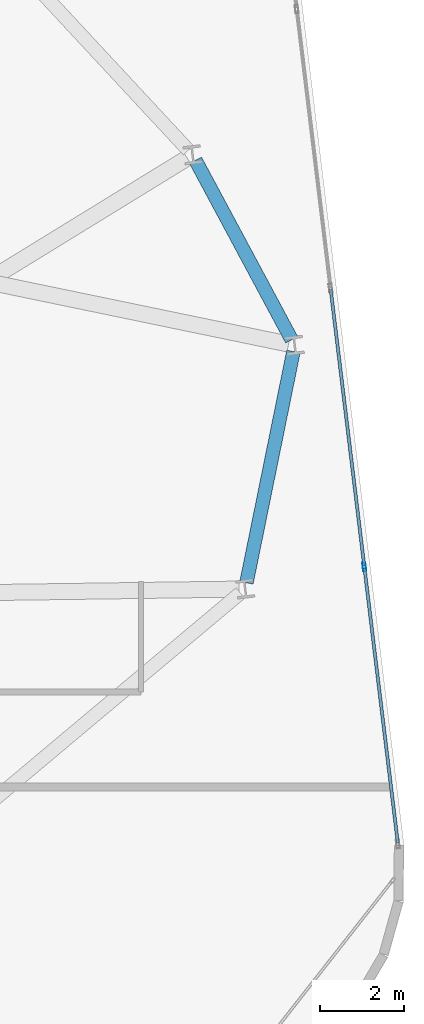
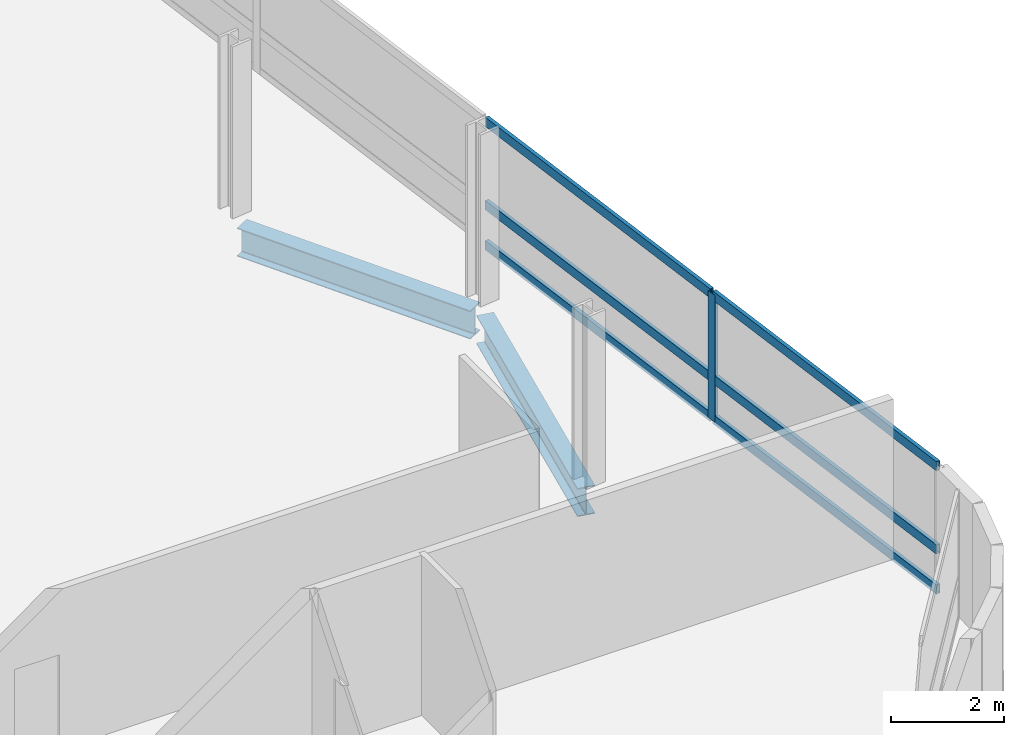
# One storey, part 11 of 23: 7 members, 2 beams, 1 element without a shape of its own.
"""IFC4 building model written with IfcOpenShell, lengths in metres."""

from ifc_helpers import new_model, si_unit, direction, frame, origin, origin_2d, place, context, subcontext, project, spatial, hollow_rectangle, i_section, extrude, material, layer, layer_set, material_profile, profile_set, type_object, element, aggregate, save


model = new_model("IFC4")

# Units and contexts
model_context = context("Model", 3, precision=1e-05, world=origin(), true_north=direction((0.0, 1.0)))
body_context = subcontext(model_context, "Body", "Model", "MODEL_VIEW")
ifc_project = project(units=[si_unit("LENGTHUNIT", "METRE"), si_unit("AREAUNIT", "SQUARE_METRE"), si_unit("VOLUMEUNIT", "CUBIC_METRE"), si_unit("PLANEANGLEUNIT", "RADIAN"), si_unit("MASSUNIT", "GRAM", prefix="KILO")], contexts=[model_context])

# Site, building, storey
site_placement = place(None, origin())
site = spatial("IfcSite", under=ifc_project, at=site_placement, CompositionType="ELEMENT")
building_placement = place(site_placement, origin())
building = spatial("IfcBuilding", under=site, at=building_placement, Name="Varnelok Gate Tower", CompositionType="ELEMENT")
storey_placement = place(building_placement, frame((0.0, 0.0, 182.0)))
storey = spatial("IfcBuildingStorey", under=building, at=storey_placement, Name="L46", CompositionType="ELEMENT", Elevation=182.0)

# Beams
ifc_material_1 = material(Name="Structural Steel ASTM A992 Grade 50", Category="steel")
ifc_material_profile_1 = material_profile(ifc_material_1, i_section(OverallWidth=0.323974609375, OverallDepth=0.611083984375, WebThickness=0.0126953125, FlangeThickness=0.01904296875, FilletRadius=0.01806640625, at=origin_2d()), Name="W24X104")
ifc_profile_set_1 = profile_set([ifc_material_profile_1], Name="Structural Steel ASTM A992 Grade 50")
beam_type = type_object("IfcBeamType", Name="BM-SPN-W24X104", PredefinedType="SPANDREL", material=ifc_profile_set_1)
beam_1_placement = place(storey_placement, frame((72.5068359375, 19.206298828125, -0.555419921875), z_axis=(0.19911018886, 0.979977108249, 0.0), x_axis=(-0.979977108249, 0.19911018886, 0.0)))
element("IfcBeam", 1, at=beam_1_placement, inside=storey, type_object=beam_type, Name="L46 Perimeter Spandrel Beam 6", PredefinedType="SPANDREL", context=body_context, shape_type="SweptSolid", body=[
    extrude(i_section(OverallWidth=0.323974609375, OverallDepth=0.611083984375, WebThickness=0.0126953125, FlangeThickness=0.01904296875, FilletRadius=0.01806640625, at=origin_2d()), origin(), (0.0, 0.0, 1.0), 5.612060546875),
])
beam_2_placement = place(storey_placement, frame((73.583251953125, 24.9853515625, -0.555419921875), z_axis=(-0.472471917257, 0.881345725242, 0.0), x_axis=(-0.881345725242, -0.472471917257, 0.0)))
element("IfcBeam", 2, at=beam_2_placement, inside=storey, type_object=beam_type, Name="L46 Perimeter Spandrel Beam 7", PredefinedType="SPANDREL", context=body_context, shape_type="SweptSolid", body=[
    extrude(i_section(OverallWidth=0.323974609375, OverallDepth=0.611083984375, WebThickness=0.0126953125, FlangeThickness=0.01904296875, FilletRadius=0.01806640625, at=origin_2d()), origin(), (0.0, 0.0, 1.0), 4.8408203125),
])

# Curtain wall, members
ifc_material_2 = material(Name="Anodized Aluminum Alloy 6063-T6", Category="aluminium")
ifc_layer = layer(ifc_material_2, 0.179931640625)
ifc_layer_set = layer_set([ifc_layer], Name="Anodized Aluminum Alloy 6063-T6")
curtain_wall_type = type_object("IfcCurtainWallType", Name="CW4-RESIDENCE-VISION", PredefinedType="USERDEFINED", material=ifc_layer_set)
curtain_wall_placement = place(storey_placement, origin())
curtain_wall = element("IfcCurtainWall", 3, at=curtain_wall_placement, inside=storey, type_object=curtain_wall_type, Name="L46 East End Vision Curtain Wall", ObjectType="UNITISED CURTAIN WALL", PredefinedType="USERDEFINED")
ifc_material_profile_2 = material_profile(ifc_material_2, hollow_rectangle(XDim=0.074951171875, YDim=0.199951171875, WallThickness=0.00390625, at=origin_2d()), Name="ALU200X75X4")
ifc_profile_set_2 = profile_set([ifc_material_profile_2], Name="Anodized Aluminum Alloy 6063-T6")
member_type_1 = type_object("IfcMemberType", Name="CW-MULL-200", PredefinedType="MULLION", material=ifc_profile_set_2)
member_1_placement = place(storey_placement, frame((75.310302734375, 19.584228515625, 0.0), z_axis=(0.0, 0.0, 1.0), x_axis=(0.992732188751, 0.120344511371, 0.0)))
member_1 = element("IfcMember", 4, at=member_1_placement, type_object=member_type_1, Name="CW4 mullion 5", PredefinedType="MULLION", context=body_context, shape_type="SweptSolid", body=[
    extrude(hollow_rectangle(XDim=0.074951171875, YDim=0.199951171875, WallThickness=0.00390625, at=origin_2d()), origin(), (0.0, 0.0, 1.0), 2.72998046875),
])
ifc_material_profile_3 = material_profile(ifc_material_2, hollow_rectangle(XDim=0.074951171875, YDim=0.199951171875, WallThickness=0.00390625, at=origin_2d()), Name="ALU200X75X4")
ifc_profile_set_3 = profile_set([ifc_material_profile_3], Name="Anodized Aluminum Alloy 6063-T6")
member_type_2 = type_object("IfcMemberType", Name="CW-TRAN-200", PredefinedType="USERDEFINED", material=ifc_profile_set_3)
member_2_placement = place(storey_placement, frame((74.510986328125, 26.178466796875, 0.03759765625), z_axis=(0.120349029092, -0.992731641078, 0.0), x_axis=(0.992731641078, 0.120349029092, 0.0)))
member_2 = element("IfcMember", 5, at=member_2_placement, type_object=member_type_2, Name="CW4 transom 4.1", ObjectType="TRANSOM", PredefinedType="USERDEFINED", context=body_context, shape_type="SweptSolid", body=[
    extrude(hollow_rectangle(XDim=0.074951171875, YDim=0.199951171875, WallThickness=0.00390625, at=origin_2d()), origin(), (0.0, 0.0, 1.0), 6.605224609375),
])
member_3_placement = place(storey_placement, frame((74.510986328125, 26.178466796875, 0.89990234375), z_axis=(0.120349029092, -0.992731641078, 0.0), x_axis=(0.992731641078, 0.120349029092, 0.0)))
member_3 = element("IfcMember", 6, at=member_3_placement, type_object=member_type_2, Name="CW4 transom 4.2", ObjectType="TRANSOM", PredefinedType="USERDEFINED", context=body_context, shape_type="SweptSolid", body=[
    extrude(hollow_rectangle(XDim=0.074951171875, YDim=0.199951171875, WallThickness=0.00390625, at=origin_2d()), origin(), (0.0, 0.0, 1.0), 6.605224609375),
])
member_4_placement = place(storey_placement, frame((74.510986328125, 26.178466796875, 2.6923828125), z_axis=(0.120349029092, -0.992731641078, 0.0), x_axis=(0.992731641078, 0.120349029092, 0.0)))
member_4 = element("IfcMember", 7, at=member_4_placement, type_object=member_type_2, Name="CW4 transom 4.3", ObjectType="TRANSOM", PredefinedType="USERDEFINED", context=body_context, shape_type="SweptSolid", body=[
    extrude(hollow_rectangle(XDim=0.074951171875, YDim=0.199951171875, WallThickness=0.00390625, at=origin_2d()), origin(), (0.0, 0.0, 1.0), 6.605224609375),
])
member_5_placement = place(storey_placement, frame((75.314697265625, 19.546875, 0.03759765625), z_axis=(0.120369113246, -0.992729206066, 0.0), x_axis=(0.992729206066, 0.120369113246, 0.0)))
member_5 = element("IfcMember", 8, at=member_5_placement, type_object=member_type_2, Name="CW4 transom 5.1", ObjectType="TRANSOM", PredefinedType="USERDEFINED", context=body_context, shape_type="SweptSolid", body=[
    extrude(hollow_rectangle(XDim=0.074951171875, YDim=0.199951171875, WallThickness=0.00390625, at=origin_2d()), origin(), (0.0, 0.0, 1.0), 6.567626953125),
])
member_6_placement = place(storey_placement, frame((75.314697265625, 19.546875, 0.89990234375), z_axis=(0.120369113246, -0.992729206066, 0.0), x_axis=(0.992729206066, 0.120369113246, 0.0)))
member_6 = element("IfcMember", 9, at=member_6_placement, type_object=member_type_2, Name="CW4 transom 5.2", ObjectType="TRANSOM", PredefinedType="USERDEFINED", context=body_context, shape_type="SweptSolid", body=[
    extrude(hollow_rectangle(XDim=0.074951171875, YDim=0.199951171875, WallThickness=0.00390625, at=origin_2d()), origin(), (0.0, 0.0, 1.0), 6.567626953125),
])
member_7_placement = place(storey_placement, frame((75.314697265625, 19.546875, 2.6923828125), z_axis=(0.120369113246, -0.992729206066, 0.0), x_axis=(0.992729206066, 0.120369113246, 0.0)))
member_7 = element("IfcMember", 10, at=member_7_placement, type_object=member_type_2, Name="CW4 transom 5.3", ObjectType="TRANSOM", PredefinedType="USERDEFINED", context=body_context, shape_type="SweptSolid", body=[
    extrude(hollow_rectangle(XDim=0.074951171875, YDim=0.199951171875, WallThickness=0.00390625, at=origin_2d()), origin(), (0.0, 0.0, 1.0), 6.567626953125),
])
aggregate(curtain_wall, [member_1, member_2, member_3, member_4, member_5, member_6, member_7])

save(model, "model.ifc")
